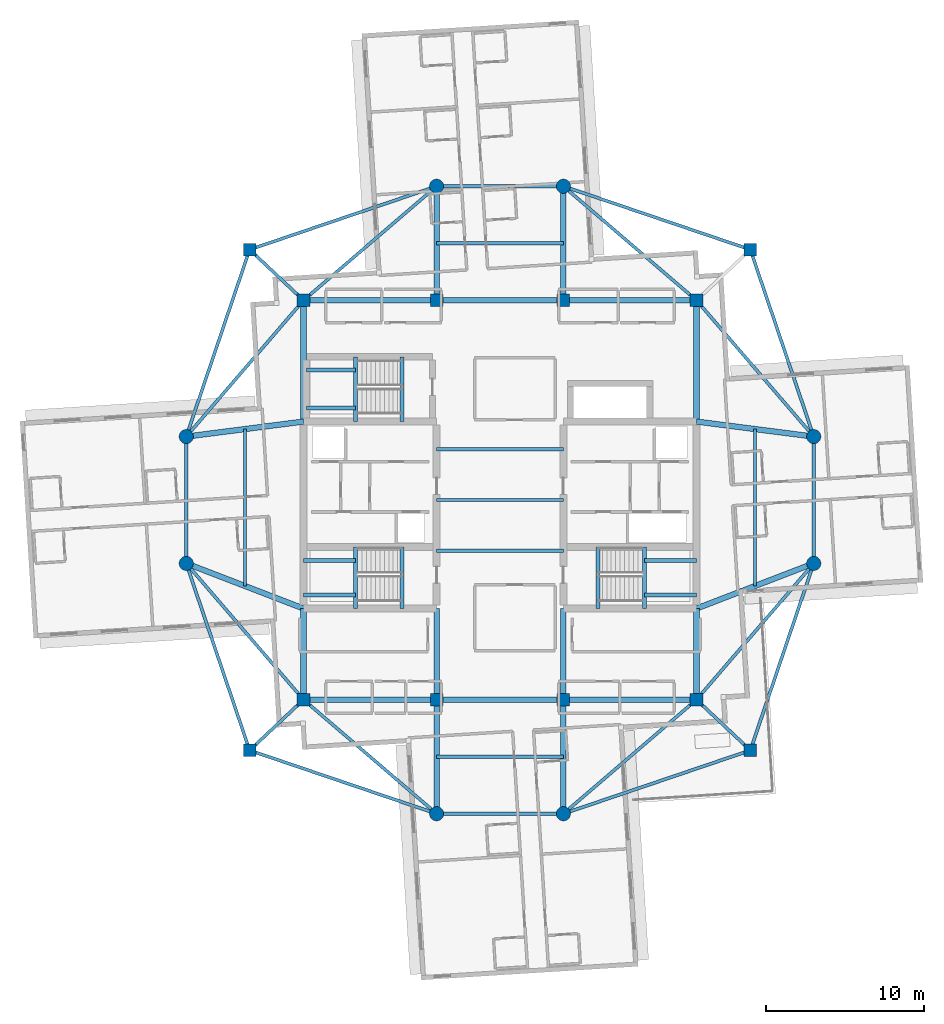
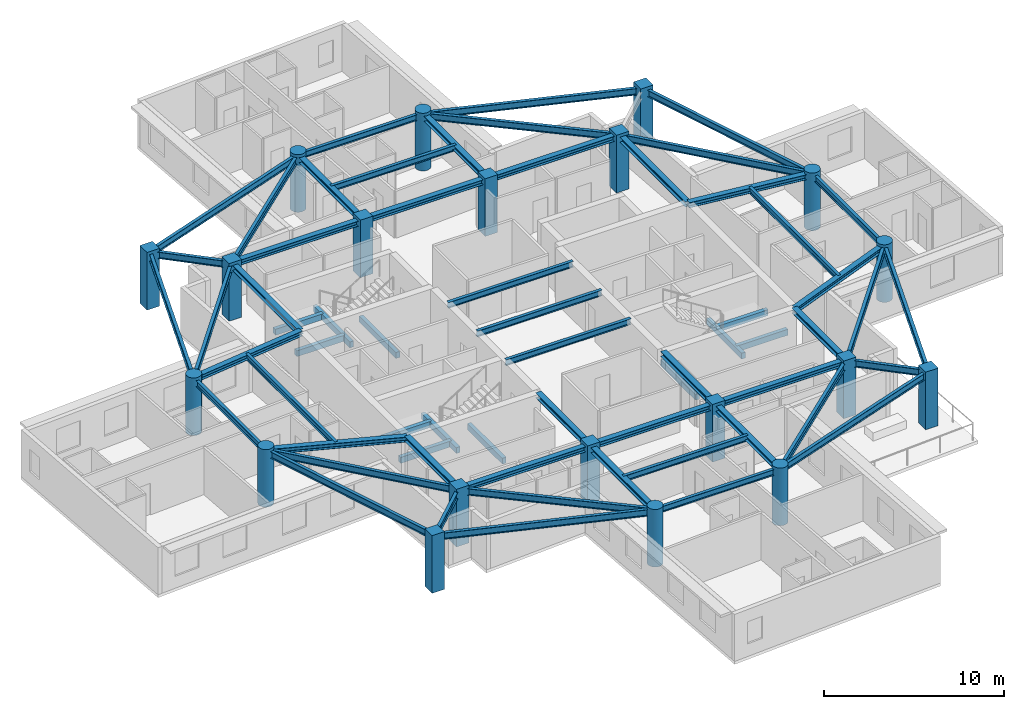
# One storey, part 1 of 13: 62 beams, 20 columns.
"""IFC4 building model written with IfcOpenShell, lengths in metres."""

import ifcopenshell
import ifcopenshell.guid

model = None  # the IFC model being written
_history = None  # IfcOwnerHistory: only IFC2X3 demands one
_inside = {}  # id of a spatial element -> (the spatial element, [elements in it])
_under = {}  # id of a project, library or spatial element -> (it, [spatial elements below it])
_declared = {}  # id of a project -> (the project, [libraries it declares])
_typed = {}  # id of a type object -> (the type object, [elements of that type])
_made_of = {}  # id of a material, layer set ... -> (it, [elements and type objects made of it])


def new_model(schema):
    """Start an empty IFC model of exactly this schema.

    Asked for "IFC4X3", IfcOpenShell would pick the latest addendum, in which some entities
    have other attributes; the version numbers below select the first issue.
    IFC2X3 requires an IfcOwnerHistory on every rooted entity: one is made here for all.
    """
    global model, _history
    if schema == "IFC4X3":
        model = ifcopenshell.file(schema_version=(4, 3, 0, 0))
    else:
        model = ifcopenshell.file(schema=schema)
    _inside.clear()
    _under.clear()
    _declared.clear()
    _typed.clear()
    _made_of.clear()
    _history = None
    if model.schema == "IFC2X3":
        org = make("IfcOrganization", Name="unknown")
        user = make(
            "IfcPersonAndOrganization",
            ThePerson=make("IfcPerson", FamilyName="unknown"),
            TheOrganization=org,
        )
        app = make(
            "IfcApplication",
            ApplicationDeveloper=org,
            Version="unknown",
            ApplicationFullName="unknown",
            ApplicationIdentifier="unknown",
        )
        _history = make(
            "IfcOwnerHistory",
            OwningUser=user,
            OwningApplication=app,
            ChangeAction="ADDED",
            CreationDate=0,
        )
    return model


def make(cls, **values):
    """One entity of the class cls with the attributes given. An attribute that is None is left unset."""
    return model.create_entity(
        cls, **{name: value for name, value in values.items() if value is not None}
    )


def rooted(cls, **values):
    """An entity with a GlobalId (a new one), such as an element, a storey or a relation."""
    return make(cls, GlobalId=ifcopenshell.guid.new(), OwnerHistory=_history, **values)


def si_unit(unit_type, name, prefix=None):
    """IfcSIUnit, for example si_unit("LENGTHUNIT", "METRE", prefix="MILLI")."""
    return make("IfcSIUnit", UnitType=unit_type, Prefix=prefix, Name=name)


def assignment(units):
    """IfcUnitAssignment: the units of a project."""
    return None if units is None else make("IfcUnitAssignment", Units=units)


def point(xyz):
    """IfcCartesianPoint."""
    return None if xyz is None else make("IfcCartesianPoint", Coordinates=xyz)


def direction(xyz):
    """IfcDirection."""
    return None if xyz is None else make("IfcDirection", DirectionRatios=xyz)


def frame(location, z_axis=None, x_axis=None):
    """IfcAxis2Placement3D, a coordinate frame: its origin and axes. An axis left out is left unset."""
    return make(
        "IfcAxis2Placement3D",
        Location=point(location),
        Axis=direction(z_axis),
        RefDirection=direction(x_axis),
    )


def frame_2d(location, x_axis=None):
    """IfcAxis2Placement2D, a coordinate frame in the plane: its origin and x axis."""
    return make(
        "IfcAxis2Placement2D", Location=point(location), RefDirection=direction(x_axis)
    )


def origin():
    """The frame at (0, 0, 0) with its axes left unset."""
    return frame((0.0, 0.0, 0.0))


def origin_2d():
    """The frame at (0, 0) in the plane with its x axis left unset."""
    return frame_2d((0.0, 0.0))


def place(relative_to, where):
    """IfcLocalPlacement: puts the frame where relative to a parent placement (None: the world)."""
    return make(
        "IfcLocalPlacement", PlacementRelTo=relative_to, RelativePlacement=where
    )


def context(
    kind, dimensions, precision=None, world=None, true_north=None, identifier=None
):
    """IfcGeometricRepresentationContext, for example the 3D "Model" context."""
    return make(
        "IfcGeometricRepresentationContext",
        ContextIdentifier=identifier,
        ContextType=kind,
        CoordinateSpaceDimension=dimensions,
        Precision=precision,
        WorldCoordinateSystem=world,
        TrueNorth=true_north,
    )


def subcontext(parent, identifier, kind, view, scale=None):
    """IfcGeometricRepresentationSubContext, for example "Body" below "Model"."""
    return make(
        "IfcGeometricRepresentationSubContext",
        ContextIdentifier=identifier,
        ContextType=kind,
        ParentContext=parent,
        TargetScale=scale,
        TargetView=view,
    )


def project(units=None, contexts=None):
    """IfcProject with its units and contexts."""
    return rooted(
        "IfcProject",
        Name="project",
        RepresentationContexts=contexts,
        UnitsInContext=assignment(units),
    )


def spatial(cls, under=None, at=None, **own):
    """A site, building, storey or space (cls), placed at a placement, below another one or the project."""
    s = rooted(cls, ObjectPlacement=at, **own)
    if under is not None:
        _under.setdefault(under.id(), (under, []))[1].append(s)
    return s


def profile(cls, at=None, kind="AREA", **sizes):
    """A parametric profile (cls). Its sizes go by their IFC names, for example OverallWidth=200.0."""
    return make(cls, ProfileType=kind, Position=at, **sizes)


def rectangle(**sizes):
    """IfcRectangleProfileDef."""
    return profile("IfcRectangleProfileDef", **sizes)


def circle(**sizes):
    """IfcCircleProfileDef."""
    return profile("IfcCircleProfileDef", **sizes)


def i_section(**sizes):
    """IfcIShapeProfileDef."""
    return profile("IfcIShapeProfileDef", **sizes)


def extrude(swept, where, along, depth):
    """IfcExtrudedAreaSolid: the profile swept, set in the frame where, extruded along a direction by depth."""
    return make(
        "IfcExtrudedAreaSolid",
        SweptArea=swept,
        Position=where,
        ExtrudedDirection=direction(along),
        Depth=depth,
    )


def shape(context_of_items, identifier, shape_type, items):
    """IfcShapeRepresentation: the items that make up one representation, for example the "Body"."""
    return make(
        "IfcShapeRepresentation",
        ContextOfItems=context_of_items,
        RepresentationIdentifier=identifier,
        RepresentationType=shape_type,
        Items=items,
    )


def material(Name=None, Category=None):
    """IfcMaterial."""
    return make("IfcMaterial", Name=Name, Category=Category)


def material_profile(
    of_material, cross_section, Name=None, Category=None, Priority=None
):
    """IfcMaterialProfile: a cross section and its material."""
    return make(
        "IfcMaterialProfile",
        Name=Name,
        Material=of_material,
        Profile=cross_section,
        Priority=Priority,
        Category=Category,
    )


def profile_set(profiles, Name=None, composite=None):
    """IfcMaterialProfileSet."""
    return make(
        "IfcMaterialProfileSet",
        Name=Name,
        MaterialProfiles=profiles,
        CompositeProfile=composite,
    )


def made_of(thing, what):
    """Note that an element or type object is made of a material, layer set ...; save() writes the relation."""
    if what is not None:
        _made_of.setdefault(what.id(), (what, []))[1].append(thing)
    return thing


def type_object(cls, material=None, **own):
    """A type object (cls), such as IfcWallType, which elements share."""
    return made_of(rooted(cls, **own), material)


def element(
    cls,
    number,
    at=None,
    inside=None,
    cuts=None,
    type_object=None,
    material=None,
    context=None,
    identifier="Body",
    shape_type=None,
    held_by="IfcProductDefinitionShape",
    body=None,
    shapes=None,
    **own,
):
    """One element of the class cls, such as IfcWall. Its Tag is "e" and its number.

    at: its placement. inside: the storey or other place that contains it. cuts: it is an
    opening in that element (IfcRelVoidsElement). A single representation is given by context,
    identifier, shape_type and body (its items); several are given by shapes. held_by: the class
    of the entity that holds the representations. save() writes the other relations.
    """
    e = rooted(cls, Tag="e%d" % number, ObjectPlacement=at, **own)
    if body is not None:
        shapes = [shape(context, identifier, shape_type, body)]
    if shapes is not None:
        e.Representation = make(held_by, Representations=shapes)
    if inside is not None:
        _inside.setdefault(inside.id(), (inside, []))[1].append(e)
    if cuts is not None:
        rooted(
            "IfcRelVoidsElement", RelatingBuildingElement=cuts, RelatedOpeningElement=e
        )
    if type_object is not None:
        _typed.setdefault(type_object.id(), (type_object, []))[1].append(e)
    return made_of(e, material)


def aggregate(whole, parts):
    """IfcRelAggregates: a whole, such as a stair, and the parts it consists of."""
    return rooted("IfcRelAggregates", RelatingObject=whole, RelatedObjects=parts)


def save(model, path):
    """Write the relations noted so far, then the file.

    IfcRelAggregates (storeys below a building ...), IfcRelContainedInSpatialStructure (elements
    in a storey), IfcRelDefinesByType, IfcRelAssociatesMaterial and IfcRelDeclares: one each for
    every whole, place, type object, material and project.
    """
    for whole, parts in _under.values():
        aggregate(whole, parts)
    for where, things in _inside.values():
        rooted(
            "IfcRelContainedInSpatialStructure",
            RelatedElements=things,
            RelatingStructure=where,
        )
    for kind, things in _typed.values():
        rooted("IfcRelDefinesByType", RelatedObjects=things, RelatingType=kind)
    for what, things in _made_of.values():
        rooted("IfcRelAssociatesMaterial", RelatedObjects=things, RelatingMaterial=what)
    for by, libraries in _declared.values():
        rooted("IfcRelDeclares", RelatingContext=by, RelatedDefinitions=libraries)
    model.write(path)


model = new_model("IFC4")

# Units and contexts
model_context = context("Model", 3, precision=1e-05, world=origin(), true_north=direction((0.0, 1.0)))
body_context = subcontext(model_context, "Body", "Model", "MODEL_VIEW")
ifc_project = project(units=[si_unit("LENGTHUNIT", "METRE"), si_unit("AREAUNIT", "SQUARE_METRE"), si_unit("VOLUMEUNIT", "CUBIC_METRE"), si_unit("PLANEANGLEUNIT", "RADIAN"), si_unit("MASSUNIT", "GRAM", prefix="KILO")], contexts=[model_context])

# Site, building, storey
site_placement = place(None, origin())
site = spatial("IfcSite", under=ifc_project, at=site_placement, CompositionType="ELEMENT")
building_placement = place(site_placement, origin())
building = spatial("IfcBuilding", under=site, at=building_placement, Name="Qingluan Cross Belvedere", CompositionType="ELEMENT")
storey_placement = place(building_placement, frame((0.0, 0.0, 281.10009765625)))
storey = spatial("IfcBuildingStorey", under=building, at=storey_placement, Name="L70", CompositionType="ELEMENT", Elevation=281.10009765625)

# Columns
ifc_material_1 = material(Name="Concrete C50", Category="concrete")
ifc_material_profile_1 = material_profile(ifc_material_1, rectangle(XDim=0.800048828125, YDim=0.800048828125, at=origin_2d()), Name="RC800x800")
ifc_profile_set_1 = profile_set([ifc_material_profile_1], Name="Concrete C50")
column_type_1 = type_object("IfcColumnType", Name="Column_RC800x800", PredefinedType="COLUMN", material=ifc_profile_set_1)
for number, where, z_axis, x_axis, name in (
    (1, (15.800048828125, 15.800048828125, 0.0), (0.0, 0.0, 1.0), (1.0, 0.0, 0.0), "Corner column L70-RNE"),
    (2, (-15.800048828125, 15.800048828125, 0.0), (0.0, 0.0, 1.0), (1.0, 0.0, 0.0), "Corner column L70-RNW"),
    (3, (-15.800048828125, -15.800048828125, 0.0), (0.0, 0.0, 1.0), (1.0, 0.0, 0.0), "Corner column L70-RSW"),
    (4, (15.800048828125, -15.800048828125, 0.0), (0.0, 0.0, 1.0), (1.0, 0.0, 0.0), "Corner column L70-RSE"),
    (5, (-12.39990234375, -12.60009765625, 0.0), (0.0, 0.0, 1.0), (1.0, 0.0, 0.0), "Hub column L70-HC1"),
    (6, (12.39990234375, -12.60009765625, 0.0), (0.0, 0.0, 1.0), (1.0, 0.0, 0.0), "Hub column L70-HC2"),
    (7, (12.39990234375, 12.60009765625, 0.0), (0.0, 0.0, 1.0), (1.0, 0.0, 0.0), "Hub column L70-HC3"),
    (8, (-12.39990234375, 12.60009765625, 0.0), (0.0, 0.0, 1.0), (1.0, 0.0, 0.0), "Hub column L70-HC4"),
    (9, (-4.0, -12.60009765625, 0.0), (0.0, 0.0, 1.0), (1.0, 0.0, 0.0), "Hub column L70-HC5"),
    (10, (4.0, -12.60009765625, 0.0), (0.0, 0.0, 1.0), (1.0, 0.0, 0.0), "Hub column L70-HC6"),
    (11, (4.0, 12.60009765625, 0.0), (0.0, 0.0, 1.0), (1.0, 0.0, 0.0), "Hub column L70-HC7"),
    (12, (-4.0, 12.60009765625, 0.0), (0.0, 0.0, 1.0), (1.0, 0.0, 0.0), "Hub column L70-HC8"),
):
    element("IfcColumn", number, at=place(storey_placement, frame(where, z_axis=z_axis, x_axis=x_axis)), inside=storey, type_object=column_type_1, Name=name, PredefinedType="COLUMN", context=body_context, shape_type="SweptSolid", body=[
        extrude(rectangle(XDim=0.800048828125, YDim=0.800048828125, at=origin_2d()), origin(), (0.0, 0.0, 1.0), 3.89990234375),
    ])
ifc_material_2 = material(Name="Concrete C50", Category="concrete")
ifc_material_profile_2 = material_profile(ifc_material_2, circle(Radius=0.449951171875, at=origin_2d()), Name="RCC900")
ifc_profile_set_2 = profile_set([ifc_material_profile_2], Name="Concrete C50")
column_type_2 = type_object("IfcColumnType", Name="Column_RCC900", PredefinedType="COLUMN", material=ifc_profile_set_2)
for number, where, z_axis, x_axis, name in (
    (13, (19.800048828125, -4.0, 0.0), (0.0, 0.0, 1.0), (1.0, 0.0, 0.0), "Arm column L70-EIA"),
    (14, (19.800048828125, 4.0, 0.0), (0.0, 0.0, 1.0), (1.0, 0.0, 0.0), "Arm column L70-EIB"),
    (15, (-19.800048828125, -4.0, 0.0), (0.0, 0.0, 1.0), (1.0, 0.0, 0.0), "Arm column L70-WIA"),
    (16, (-19.800048828125, 4.0, 0.0), (0.0, 0.0, 1.0), (1.0, 0.0, 0.0), "Arm column L70-WIB"),
    (17, (-4.0, -19.800048828125, 0.0), (0.0, 0.0, 1.0), (1.0, 0.0, 0.0), "Arm column L70-SIA"),
    (18, (4.0, -19.800048828125, 0.0), (0.0, 0.0, 1.0), (1.0, 0.0, 0.0), "Arm column L70-SIB"),
    (19, (-4.0, 19.800048828125, 0.0), (0.0, 0.0, 1.0), (1.0, 0.0, 0.0), "Arm column L70-NIA"),
    (20, (4.0, 19.800048828125, 0.0), (0.0, 0.0, 1.0), (1.0, 0.0, 0.0), "Arm column L70-NIB"),
):
    element("IfcColumn", number, at=place(storey_placement, frame(where, z_axis=z_axis, x_axis=x_axis)), inside=storey, type_object=column_type_2, Name=name, PredefinedType="COLUMN", context=body_context, shape_type="SweptSolid", body=[
        extrude(circle(Radius=0.449951171875, at=origin_2d()), origin(), (0.0, 0.0, 1.0), 3.89990234375),
    ])

# Beams
ifc_material_3 = material(Name="Concrete C45", Category="concrete")
ifc_material_profile_3 = material_profile(ifc_material_3, rectangle(XDim=0.25, YDim=0.39990234375, at=origin_2d()), Name="RC250x400")
ifc_profile_set_3 = profile_set([ifc_material_profile_3], Name="Concrete C45")
beam_type_1 = type_object("IfcBeamType", Name="RC_Lintel_RC250x400", PredefinedType="LINTEL", material=ifc_profile_set_3)
for number, where, z_axis, x_axis, name in (
    (21, (-6.179931640625, -6.85009765625, -0.2001953125), (0.0, 1.0, 0.0), (-1.0, 0.0, 0.0), "Stair ST1 landing beam L70"),
    (22, (6.179931640625, -6.85009765625, -0.2001953125), (0.0, 1.0, 0.0), (-1.0, 0.0, 0.0), "Stair ST2 landing beam L70"),
):
    element("IfcBeam", number, at=place(storey_placement, frame(where, z_axis=z_axis, x_axis=x_axis)), inside=storey, type_object=beam_type_1, Name=name, PredefinedType="LINTEL", context=body_context, shape_type="SweptSolid", body=[
        extrude(rectangle(XDim=0.25, YDim=0.39990234375, at=origin_2d()), origin(), (0.0, 0.0, 1.0), 3.89013671875),
    ])
beam_1_placement = place(storey_placement, frame((-6.179931640625, 4.949951171875, -0.2001953125), z_axis=(0.0, 1.0, 0.0), x_axis=(-1.0, 0.0, 0.0)))
element("IfcBeam", 23, at=beam_1_placement, inside=storey, type_object=beam_type_1, Name="Stair ST3 landing beam L70", PredefinedType="LINTEL", context=body_context, shape_type="SweptSolid", body=[
    extrude(rectangle(XDim=0.25, YDim=0.39990234375, at=origin_2d()), origin(), (0.0, 0.0, 1.0), 4.090087890625),
])
beam_2_placement = place(storey_placement, frame((-9.1298828125, -6.85009765625, 1.5498046875), z_axis=(0.0, 1.0, 0.0), x_axis=(-1.0, 0.0, 0.0)))
element("IfcBeam", 24, at=beam_2_placement, inside=storey, type_object=beam_type_1, Name="Stair ST1 beam A L70", PredefinedType="LINTEL", context=body_context, shape_type="SweptSolid", body=[
    extrude(rectangle(XDim=0.25, YDim=0.39990234375, at=origin_2d()), origin(), (0.0, 0.0, 1.0), 3.89013671875),
])
for number, where, z_axis, x_axis, name in (
    (25, (-12.39990234375, -6.0, 1.5498046875), (1.0, 0.0, 0.0), (0.0, 1.0, 0.0), "Stair ST1 beam B L70"),
    (26, (-12.39990234375, -3.81005859375, 1.5498046875), (1.0, 0.0, 0.0), (0.0, 1.0, 0.0), "Stair ST1 beam C L70"),
):
    element("IfcBeam", number, at=place(storey_placement, frame(where, z_axis=z_axis, x_axis=x_axis)), inside=storey, type_object=beam_type_1, Name=name, PredefinedType="LINTEL", context=body_context, shape_type="SweptSolid", body=[
        extrude(rectangle(XDim=0.25, YDim=0.39990234375, at=origin_2d()), origin(), (0.0, 0.0, 1.0), 3.27001953125),
    ])
beam_3_placement = place(storey_placement, frame((9.1298828125, -6.85009765625, 1.5498046875), z_axis=(0.0, 1.0, 0.0), x_axis=(-1.0, 0.0, 0.0)))
element("IfcBeam", 27, at=beam_3_placement, inside=storey, type_object=beam_type_1, Name="Stair ST2 beam A L70", PredefinedType="LINTEL", context=body_context, shape_type="SweptSolid", body=[
    extrude(rectangle(XDim=0.25, YDim=0.39990234375, at=origin_2d()), origin(), (0.0, 0.0, 1.0), 3.89013671875),
])
for number, where, z_axis, x_axis, name in (
    (28, (12.39990234375, -6.0, 1.5498046875), (-1.0, 0.0, 0.0), (0.0, -1.0, 0.0), "Stair ST2 beam B L70"),
    (29, (12.39990234375, -3.81005859375, 1.5498046875), (-1.0, 0.0, 0.0), (0.0, -1.0, 0.0), "Stair ST2 beam C L70"),
):
    element("IfcBeam", number, at=place(storey_placement, frame(where, z_axis=z_axis, x_axis=x_axis)), inside=storey, type_object=beam_type_1, Name=name, PredefinedType="LINTEL", context=body_context, shape_type="SweptSolid", body=[
        extrude(rectangle(XDim=0.25, YDim=0.39990234375, at=origin_2d()), origin(), (0.0, 0.0, 1.0), 3.27001953125),
    ])
beam_4_placement = place(storey_placement, frame((-9.1298828125, 4.949951171875, 1.5498046875), z_axis=(0.0, 1.0, 0.0), x_axis=(-1.0, 0.0, 0.0)))
element("IfcBeam", 30, at=beam_4_placement, inside=storey, type_object=beam_type_1, Name="Stair ST3 beam A L70", PredefinedType="LINTEL", context=body_context, shape_type="SweptSolid", body=[
    extrude(rectangle(XDim=0.25, YDim=0.39990234375, at=origin_2d()), origin(), (0.0, 0.0, 1.0), 4.090087890625),
])
for number, where, z_axis, x_axis, name in (
    (31, (-12.219970703125, 5.800048828125, 1.5498046875), (1.0, 0.0, 0.0), (0.0, 1.0, 0.0), "Stair ST3 beam B L70"),
    (32, (-12.219970703125, 8.18994140625, 1.5498046875), (1.0, 0.0, 0.0), (0.0, 1.0, 0.0), "Stair ST3 beam C L70"),
):
    element("IfcBeam", number, at=place(storey_placement, frame(where, z_axis=z_axis, x_axis=x_axis)), inside=storey, type_object=beam_type_1, Name=name, PredefinedType="LINTEL", context=body_context, shape_type="SweptSolid", body=[
        extrude(rectangle(XDim=0.25, YDim=0.39990234375, at=origin_2d()), origin(), (0.0, 0.0, 1.0), 3.090087890625),
    ])
ifc_material_4 = material(Name="Steel Q420GJB", Category="steel")
ifc_material_profile_4 = material_profile(ifc_material_4, i_section(OverallWidth=0.199951171875, OverallDepth=0.39990234375, WebThickness=0.008056640625, FlangeThickness=0.012939453125, FilletRadius=0.012939453125, at=origin_2d()), Name="HN400x200x8x13")
ifc_profile_set_4 = profile_set([ifc_material_profile_4], Name="Steel Q420GJB")
beam_type_2 = type_object("IfcBeamType", Name="Steel_Beam_HN400x200x8x13", PredefinedType="JOIST", material=ifc_profile_set_4)
for number, where, z_axis, x_axis, name in (
    (33, (-4.0, -3.199951171875, 3.5), (1.0, 0.0, 0.0), (0.0, 1.0, 0.0), "Hall beam L70-CH1"),
    (34, (-4.0, 0.0, 3.5), (1.0, 0.0, 0.0), (0.0, 1.0, 0.0), "Hall beam L70-CH2"),
    (35, (-4.0, 3.199951171875, 3.5), (1.0, 0.0, 0.0), (0.0, 1.0, 0.0), "Hall beam L70-CH3"),
    (36, (19.800048828125, -4.0, 3.5), (0.0, 1.0, 0.0), (-1.0, 0.0, 0.0), "Arm E tie L70"),
):
    element("IfcBeam", number, at=place(storey_placement, frame(where, z_axis=z_axis, x_axis=x_axis)), inside=storey, type_object=beam_type_2, Name=name, PredefinedType="JOIST", context=body_context, shape_type="SweptSolid", body=[
        extrude(i_section(OverallWidth=0.199951171875, OverallDepth=0.39990234375, WebThickness=0.008056640625, FlangeThickness=0.012939453125, FilletRadius=0.012939453125, at=origin_2d()), origin(), (0.0, 0.0, 1.0), 8.0),
    ])
beam_5_placement = place(storey_placement, frame((16.10009765625, -5.425048828125, 3.5), z_axis=(0.0, 1.0, 0.0), x_axis=(-1.0, 0.0, 0.0)))
element("IfcBeam", 37, at=beam_5_placement, inside=storey, type_object=beam_type_2, Name="Arm E beam L70", PredefinedType="JOIST", context=body_context, shape_type="SweptSolid", body=[
    extrude(i_section(OverallWidth=0.199951171875, OverallDepth=0.39990234375, WebThickness=0.008056640625, FlangeThickness=0.012939453125, FilletRadius=0.012939453125, at=origin_2d()), origin(), (0.0, 0.0, 1.0), 9.900146484375),
])
beam_6_placement = place(storey_placement, frame((-19.800048828125, -4.0, 3.5), z_axis=(0.0, 1.0, 0.0), x_axis=(-1.0, 0.0, 0.0)))
element("IfcBeam", 38, at=beam_6_placement, inside=storey, type_object=beam_type_2, Name="Arm W tie L70", PredefinedType="JOIST", context=body_context, shape_type="SweptSolid", body=[
    extrude(i_section(OverallWidth=0.199951171875, OverallDepth=0.39990234375, WebThickness=0.008056640625, FlangeThickness=0.012939453125, FilletRadius=0.012939453125, at=origin_2d()), origin(), (0.0, 0.0, 1.0), 8.0),
])
beam_7_placement = place(storey_placement, frame((-16.10009765625, -5.425048828125, 3.5), z_axis=(0.0, 1.0, 0.0), x_axis=(-1.0, 0.0, 0.0)))
element("IfcBeam", 39, at=beam_7_placement, inside=storey, type_object=beam_type_2, Name="Arm W beam L70", PredefinedType="JOIST", context=body_context, shape_type="SweptSolid", body=[
    extrude(i_section(OverallWidth=0.199951171875, OverallDepth=0.39990234375, WebThickness=0.008056640625, FlangeThickness=0.012939453125, FilletRadius=0.012939453125, at=origin_2d()), origin(), (0.0, 0.0, 1.0), 9.900146484375),
])
for number, where, z_axis, x_axis, name in (
    (40, (-4.0, 19.800048828125, 3.5), (1.0, 0.0, 0.0), (0.0, 1.0, 0.0), "Arm N tie L70"),
    (41, (-4.0, 16.199951171875, 3.5), (1.0, 0.0, 0.0), (0.0, 1.0, 0.0), "Arm N beam L70"),
    (42, (-4.0, -19.800048828125, 3.5), (1.0, 0.0, 0.0), (0.0, 1.0, 0.0), "Arm S tie L70"),
    (43, (-4.0, -16.199951171875, 3.5), (1.0, 0.0, 0.0), (0.0, 1.0, 0.0), "Arm S beam L70"),
):
    element("IfcBeam", number, at=place(storey_placement, frame(where, z_axis=z_axis, x_axis=x_axis)), inside=storey, type_object=beam_type_2, Name=name, PredefinedType="JOIST", context=body_context, shape_type="SweptSolid", body=[
        extrude(i_section(OverallWidth=0.199951171875, OverallDepth=0.39990234375, WebThickness=0.008056640625, FlangeThickness=0.012939453125, FilletRadius=0.012939453125, at=origin_2d()), origin(), (0.0, 0.0, 1.0), 8.0),
    ])
ifc_material_5 = material(Name="Steel Q420GJB", Category="steel")
ifc_material_profile_5 = material_profile(ifc_material_5, i_section(OverallWidth=0.199951171875, OverallDepth=0.449951171875, WebThickness=0.009033203125, FlangeThickness=0.013916015625, FilletRadius=0.01611328125, at=origin_2d()), Name="HN450x200x9x14")
ifc_profile_set_5 = profile_set([ifc_material_profile_5], Name="Steel Q420GJB")
beam_type_3 = type_object("IfcBeamType", Name="Steel_Beam_HN450x200x9x14", PredefinedType="JOIST", material=ifc_profile_set_5)
for number, where, z_axis, x_axis, name in (
    (44, (15.800048828125, 15.800048828125, 3.454833984375), (-0.947066283324, 0.321038089628, 0.0), (-0.321038089628, -0.947066283324, 0.0), "Corner beam 2 L70-RNE"),
    (45, (15.800048828125, 15.800048828125, 3.454833984375), (0.321038089628, -0.947066283324, 0.0), (0.947066283324, 0.321038089628, 0.0), "Corner beam 3 L70-RNE"),
):
    element("IfcBeam", number, at=place(storey_placement, frame(where, z_axis=z_axis, x_axis=x_axis)), inside=storey, type_object=beam_type_3, Name=name, PredefinedType="JOIST", context=body_context, shape_type="SweptSolid", body=[
        extrude(i_section(OverallWidth=0.199951171875, OverallDepth=0.449951171875, WebThickness=0.009033203125, FlangeThickness=0.013916015625, FilletRadius=0.01611328125, at=origin_2d()), origin(), (0.0, 0.0, 1.0), 12.45947265625),
    ])
beam_8_placement = place(storey_placement, frame((12.39990234375, 12.60009765625, 3.454833984375), z_axis=(0.652245077546, -0.75800815221, 0.0), x_axis=(0.75800815221, 0.652245077546, 0.0)))
element("IfcBeam", 46, at=beam_8_placement, inside=storey, type_object=beam_type_3, Name="Corner beam 4 L70-RNE", PredefinedType="JOIST", context=body_context, shape_type="SweptSolid", body=[
    extrude(i_section(OverallWidth=0.199951171875, OverallDepth=0.449951171875, WebThickness=0.009033203125, FlangeThickness=0.013916015625, FilletRadius=0.01611328125, at=origin_2d()), origin(), (0.0, 0.0, 1.0), 11.345703125),
])
beam_9_placement = place(storey_placement, frame((12.39990234375, 12.60009765625, 3.454833984375), z_axis=(-0.759255044656, 0.650793190779, 0.0), x_axis=(-0.650793190779, -0.759255044656, 0.0)))
element("IfcBeam", 47, at=beam_9_placement, inside=storey, type_object=beam_type_3, Name="Corner beam 5 L70-RNE", PredefinedType="JOIST", context=body_context, shape_type="SweptSolid", body=[
    extrude(i_section(OverallWidth=0.199951171875, OverallDepth=0.449951171875, WebThickness=0.009033203125, FlangeThickness=0.013916015625, FilletRadius=0.01611328125, at=origin_2d()), origin(), (0.0, 0.0, 1.0), 11.063232421875),
])
beam_10_placement = place(storey_placement, frame((-12.39990234375, 12.60009765625, 3.474853515625), z_axis=(-0.728219948308, 0.685343495546, 0.0), x_axis=(-0.685343495546, -0.728219948308, 0.0)))
element("IfcBeam", 48, at=beam_10_placement, inside=storey, type_object=beam_type_3, Name="Corner beam 1 L70-RNW", PredefinedType="JOIST", context=body_context, shape_type="SweptSolid", body=[
    extrude(i_section(OverallWidth=0.199951171875, OverallDepth=0.449951171875, WebThickness=0.009033203125, FlangeThickness=0.013916015625, FilletRadius=0.01611328125, at=origin_2d()), origin(), (0.0, 0.0, 1.0), 4.669189453125),
])
for number, where, z_axis, x_axis, name in (
    (49, (-15.800048828125, 15.800048828125, 3.474853515625), (0.947066283324, 0.321038089628, 0.0), (-0.321038089628, 0.947066283324, 0.0), "Corner beam 2 L70-RNW"),
    (50, (-15.800048828125, 15.800048828125, 3.474853515625), (-0.321038089628, -0.947066283324, 0.0), (0.947066283324, -0.321038089628, 0.0), "Corner beam 3 L70-RNW"),
):
    element("IfcBeam", number, at=place(storey_placement, frame(where, z_axis=z_axis, x_axis=x_axis)), inside=storey, type_object=beam_type_3, Name=name, PredefinedType="JOIST", context=body_context, shape_type="SweptSolid", body=[
        extrude(i_section(OverallWidth=0.199951171875, OverallDepth=0.449951171875, WebThickness=0.009033203125, FlangeThickness=0.013916015625, FilletRadius=0.01611328125, at=origin_2d()), origin(), (0.0, 0.0, 1.0), 12.45947265625),
    ])
beam_11_placement = place(storey_placement, frame((-12.39990234375, 12.60009765625, 3.474853515625), z_axis=(-0.652245077546, -0.75800815221, 0.0), x_axis=(0.75800815221, -0.652245077546, 0.0)))
element("IfcBeam", 51, at=beam_11_placement, inside=storey, type_object=beam_type_3, Name="Corner beam 4 L70-RNW", PredefinedType="JOIST", context=body_context, shape_type="SweptSolid", body=[
    extrude(i_section(OverallWidth=0.199951171875, OverallDepth=0.449951171875, WebThickness=0.009033203125, FlangeThickness=0.013916015625, FilletRadius=0.01611328125, at=origin_2d()), origin(), (0.0, 0.0, 1.0), 11.345703125),
])
beam_12_placement = place(storey_placement, frame((-12.39990234375, 12.60009765625, 3.474853515625), z_axis=(0.759255044656, 0.650793190779, 0.0), x_axis=(-0.650793190779, 0.759255044656, 0.0)))
element("IfcBeam", 52, at=beam_12_placement, inside=storey, type_object=beam_type_3, Name="Corner beam 5 L70-RNW", PredefinedType="JOIST", context=body_context, shape_type="SweptSolid", body=[
    extrude(i_section(OverallWidth=0.199951171875, OverallDepth=0.449951171875, WebThickness=0.009033203125, FlangeThickness=0.013916015625, FilletRadius=0.01611328125, at=origin_2d()), origin(), (0.0, 0.0, 1.0), 11.063232421875),
])
beam_13_placement = place(storey_placement, frame((-12.39990234375, -12.60009765625, 3.474853515625), z_axis=(-0.728219948308, -0.685343495546, 0.0), x_axis=(0.685343495546, -0.728219948308, 0.0)))
element("IfcBeam", 53, at=beam_13_placement, inside=storey, type_object=beam_type_3, Name="Corner beam 1 L70-RSW", PredefinedType="JOIST", context=body_context, shape_type="SweptSolid", body=[
    extrude(i_section(OverallWidth=0.199951171875, OverallDepth=0.449951171875, WebThickness=0.009033203125, FlangeThickness=0.013916015625, FilletRadius=0.01611328125, at=origin_2d()), origin(), (0.0, 0.0, 1.0), 4.669189453125),
])
for number, where, z_axis, x_axis, name in (
    (54, (-15.800048828125, -15.800048828125, 3.474853515625), (0.947066283324, -0.321038089628, 0.0), (0.321038089628, 0.947066283324, 0.0), "Corner beam 2 L70-RSW"),
    (55, (-15.800048828125, -15.800048828125, 3.474853515625), (-0.321038089628, 0.947066283324, 0.0), (-0.947066283324, -0.321038089628, 0.0), "Corner beam 3 L70-RSW"),
):
    element("IfcBeam", number, at=place(storey_placement, frame(where, z_axis=z_axis, x_axis=x_axis)), inside=storey, type_object=beam_type_3, Name=name, PredefinedType="JOIST", context=body_context, shape_type="SweptSolid", body=[
        extrude(i_section(OverallWidth=0.199951171875, OverallDepth=0.449951171875, WebThickness=0.009033203125, FlangeThickness=0.013916015625, FilletRadius=0.01611328125, at=origin_2d()), origin(), (0.0, 0.0, 1.0), 12.45947265625),
    ])
beam_14_placement = place(storey_placement, frame((-12.39990234375, -12.60009765625, 3.474853515625), z_axis=(-0.652245077546, 0.75800815221, 0.0), x_axis=(-0.75800815221, -0.652245077546, 0.0)))
element("IfcBeam", 56, at=beam_14_placement, inside=storey, type_object=beam_type_3, Name="Corner beam 4 L70-RSW", PredefinedType="JOIST", context=body_context, shape_type="SweptSolid", body=[
    extrude(i_section(OverallWidth=0.199951171875, OverallDepth=0.449951171875, WebThickness=0.009033203125, FlangeThickness=0.013916015625, FilletRadius=0.01611328125, at=origin_2d()), origin(), (0.0, 0.0, 1.0), 11.345703125),
])
beam_15_placement = place(storey_placement, frame((-12.39990234375, -12.60009765625, 3.474853515625), z_axis=(0.759255044656, -0.650793190779, 0.0), x_axis=(0.650793190779, 0.759255044656, 0.0)))
element("IfcBeam", 57, at=beam_15_placement, inside=storey, type_object=beam_type_3, Name="Corner beam 5 L70-RSW", PredefinedType="JOIST", context=body_context, shape_type="SweptSolid", body=[
    extrude(i_section(OverallWidth=0.199951171875, OverallDepth=0.449951171875, WebThickness=0.009033203125, FlangeThickness=0.013916015625, FilletRadius=0.01611328125, at=origin_2d()), origin(), (0.0, 0.0, 1.0), 11.063232421875),
])
beam_16_placement = place(storey_placement, frame((12.39990234375, -12.60009765625, 3.474853515625), z_axis=(0.728219948308, -0.685343495546, 0.0), x_axis=(0.685343495546, 0.728219948308, 0.0)))
element("IfcBeam", 58, at=beam_16_placement, inside=storey, type_object=beam_type_3, Name="Corner beam 1 L70-RSE", PredefinedType="JOIST", context=body_context, shape_type="SweptSolid", body=[
    extrude(i_section(OverallWidth=0.199951171875, OverallDepth=0.449951171875, WebThickness=0.009033203125, FlangeThickness=0.013916015625, FilletRadius=0.01611328125, at=origin_2d()), origin(), (0.0, 0.0, 1.0), 4.669189453125),
])
for number, where, z_axis, x_axis, name in (
    (59, (15.800048828125, -15.800048828125, 3.474853515625), (-0.947066283324, -0.321038089628, 0.0), (0.321038089628, -0.947066283324, 0.0), "Corner beam 2 L70-RSE"),
    (60, (15.800048828125, -15.800048828125, 3.474853515625), (0.321038089628, 0.947066283324, 0.0), (-0.947066283324, 0.321038089628, 0.0), "Corner beam 3 L70-RSE"),
):
    element("IfcBeam", number, at=place(storey_placement, frame(where, z_axis=z_axis, x_axis=x_axis)), inside=storey, type_object=beam_type_3, Name=name, PredefinedType="JOIST", context=body_context, shape_type="SweptSolid", body=[
        extrude(i_section(OverallWidth=0.199951171875, OverallDepth=0.449951171875, WebThickness=0.009033203125, FlangeThickness=0.013916015625, FilletRadius=0.01611328125, at=origin_2d()), origin(), (0.0, 0.0, 1.0), 12.45947265625),
    ])
beam_17_placement = place(storey_placement, frame((12.39990234375, -12.60009765625, 3.474853515625), z_axis=(0.652245077546, 0.75800815221, 0.0), x_axis=(-0.75800815221, 0.652245077546, 0.0)))
element("IfcBeam", 61, at=beam_17_placement, inside=storey, type_object=beam_type_3, Name="Corner beam 4 L70-RSE", PredefinedType="JOIST", context=body_context, shape_type="SweptSolid", body=[
    extrude(i_section(OverallWidth=0.199951171875, OverallDepth=0.449951171875, WebThickness=0.009033203125, FlangeThickness=0.013916015625, FilletRadius=0.01611328125, at=origin_2d()), origin(), (0.0, 0.0, 1.0), 11.345703125),
])
beam_18_placement = place(storey_placement, frame((12.39990234375, -12.60009765625, 3.474853515625), z_axis=(-0.759255044656, -0.650793190779, 0.0), x_axis=(0.650793190779, -0.759255044656, 0.0)))
element("IfcBeam", 62, at=beam_18_placement, inside=storey, type_object=beam_type_3, Name="Corner beam 5 L70-RSE", PredefinedType="JOIST", context=body_context, shape_type="SweptSolid", body=[
    extrude(i_section(OverallWidth=0.199951171875, OverallDepth=0.449951171875, WebThickness=0.009033203125, FlangeThickness=0.013916015625, FilletRadius=0.01611328125, at=origin_2d()), origin(), (0.0, 0.0, 1.0), 11.063232421875),
])
ifc_material_6 = material(Name="Steel Q420GJB", Category="steel")
ifc_material_profile_6 = material_profile(ifc_material_6, i_section(OverallWidth=0.35009765625, OverallDepth=0.35009765625, WebThickness=0.011962890625, FlangeThickness=0.01904296875, FilletRadius=0.02001953125, at=origin_2d()), Name="HW350x350x12x19")
ifc_profile_set_6 = profile_set([ifc_material_profile_6], Name="Steel Q420GJB")
beam_type_4 = type_object("IfcBeamType", Name="Steel_Girder_HW350x350x12x19", PredefinedType="USERDEFINED", material=ifc_profile_set_6)
beam_19_placement = place(storey_placement, frame((-12.39990234375, -12.60009765625, 3.52490234375), z_axis=(1.0, 0.0, 0.0), x_axis=(0.0, 1.0, 0.0)))
element("IfcBeam", 63, at=beam_19_placement, inside=storey, type_object=beam_type_4, Name="Hub girder L70-HG-S1", ObjectType="GIRDER", PredefinedType="USERDEFINED", context=body_context, shape_type="SweptSolid", body=[
    extrude(i_section(OverallWidth=0.35009765625, OverallDepth=0.35009765625, WebThickness=0.011962890625, FlangeThickness=0.01904296875, FilletRadius=0.02001953125, at=origin_2d()), origin(), (0.0, 0.0, 1.0), 8.39990234375),
])
beam_20_placement = place(storey_placement, frame((-4.0, -12.60009765625, 3.52490234375), z_axis=(1.0, 0.0, 0.0), x_axis=(0.0, 1.0, 0.0)))
element("IfcBeam", 64, at=beam_20_placement, inside=storey, type_object=beam_type_4, Name="Hub girder L70-HG-S2", ObjectType="GIRDER", PredefinedType="USERDEFINED", context=body_context, shape_type="SweptSolid", body=[
    extrude(i_section(OverallWidth=0.35009765625, OverallDepth=0.35009765625, WebThickness=0.011962890625, FlangeThickness=0.01904296875, FilletRadius=0.02001953125, at=origin_2d()), origin(), (0.0, 0.0, 1.0), 8.0),
])
for number, where, z_axis, x_axis, name in (
    (65, (4.0, -12.60009765625, 3.52490234375), (1.0, 0.0, 0.0), (0.0, 1.0, 0.0), "Hub girder L70-HG-S3"),
    (66, (-12.39990234375, 12.60009765625, 3.52490234375), (1.0, 0.0, 0.0), (0.0, 1.0, 0.0), "Hub girder L70-HG-N1"),
):
    element("IfcBeam", number, at=place(storey_placement, frame(where, z_axis=z_axis, x_axis=x_axis)), inside=storey, type_object=beam_type_4, Name=name, ObjectType="GIRDER", PredefinedType="USERDEFINED", context=body_context, shape_type="SweptSolid", body=[
        extrude(i_section(OverallWidth=0.35009765625, OverallDepth=0.35009765625, WebThickness=0.011962890625, FlangeThickness=0.01904296875, FilletRadius=0.02001953125, at=origin_2d()), origin(), (0.0, 0.0, 1.0), 8.39990234375),
    ])
beam_21_placement = place(storey_placement, frame((-4.0, 12.60009765625, 3.52490234375), z_axis=(1.0, 0.0, 0.0), x_axis=(0.0, 1.0, 0.0)))
element("IfcBeam", 67, at=beam_21_placement, inside=storey, type_object=beam_type_4, Name="Hub girder L70-HG-N2", ObjectType="GIRDER", PredefinedType="USERDEFINED", context=body_context, shape_type="SweptSolid", body=[
    extrude(i_section(OverallWidth=0.35009765625, OverallDepth=0.35009765625, WebThickness=0.011962890625, FlangeThickness=0.01904296875, FilletRadius=0.02001953125, at=origin_2d()), origin(), (0.0, 0.0, 1.0), 8.0),
])
beam_22_placement = place(storey_placement, frame((4.0, 12.60009765625, 3.52490234375), z_axis=(1.0, 0.0, 0.0), x_axis=(0.0, 1.0, 0.0)))
element("IfcBeam", 68, at=beam_22_placement, inside=storey, type_object=beam_type_4, Name="Hub girder L70-HG-N3", ObjectType="GIRDER", PredefinedType="USERDEFINED", context=body_context, shape_type="SweptSolid", body=[
    extrude(i_section(OverallWidth=0.35009765625, OverallDepth=0.35009765625, WebThickness=0.011962890625, FlangeThickness=0.01904296875, FilletRadius=0.02001953125, at=origin_2d()), origin(), (0.0, 0.0, 1.0), 8.39990234375),
])
beam_23_placement = place(storey_placement, frame((-12.39990234375, -12.60009765625, 3.52490234375), z_axis=(0.0, 1.0, 0.0), x_axis=(-1.0, 0.0, 0.0)))
element("IfcBeam", 69, at=beam_23_placement, inside=storey, type_object=beam_type_4, Name="Hub girder L70-HG-W1", ObjectType="GIRDER", PredefinedType="USERDEFINED", context=body_context, shape_type="SweptSolid", body=[
    extrude(i_section(OverallWidth=0.35009765625, OverallDepth=0.35009765625, WebThickness=0.011962890625, FlangeThickness=0.01904296875, FilletRadius=0.02001953125, at=origin_2d()), origin(), (0.0, 0.0, 1.0), 5.75),
])
beam_24_placement = place(storey_placement, frame((-12.39990234375, 4.949951171875, 3.52490234375), z_axis=(0.0, 1.0, 0.0), x_axis=(-1.0, 0.0, 0.0)))
element("IfcBeam", 70, at=beam_24_placement, inside=storey, type_object=beam_type_4, Name="Hub girder L70-HG-W2", ObjectType="GIRDER", PredefinedType="USERDEFINED", context=body_context, shape_type="SweptSolid", body=[
    extrude(i_section(OverallWidth=0.35009765625, OverallDepth=0.35009765625, WebThickness=0.011962890625, FlangeThickness=0.01904296875, FilletRadius=0.02001953125, at=origin_2d()), origin(), (0.0, 0.0, 1.0), 7.650146484375),
])
beam_25_placement = place(storey_placement, frame((12.39990234375, -12.60009765625, 3.52490234375), z_axis=(0.0, 1.0, 0.0), x_axis=(-1.0, 0.0, 0.0)))
element("IfcBeam", 71, at=beam_25_placement, inside=storey, type_object=beam_type_4, Name="Hub girder L70-HG-E1", ObjectType="GIRDER", PredefinedType="USERDEFINED", context=body_context, shape_type="SweptSolid", body=[
    extrude(i_section(OverallWidth=0.35009765625, OverallDepth=0.35009765625, WebThickness=0.011962890625, FlangeThickness=0.01904296875, FilletRadius=0.02001953125, at=origin_2d()), origin(), (0.0, 0.0, 1.0), 5.75),
])
beam_26_placement = place(storey_placement, frame((12.39990234375, 4.949951171875, 3.52490234375), z_axis=(0.0, 1.0, 0.0), x_axis=(-1.0, 0.0, 0.0)))
element("IfcBeam", 72, at=beam_26_placement, inside=storey, type_object=beam_type_4, Name="Hub girder L70-HG-E2", ObjectType="GIRDER", PredefinedType="USERDEFINED", context=body_context, shape_type="SweptSolid", body=[
    extrude(i_section(OverallWidth=0.35009765625, OverallDepth=0.35009765625, WebThickness=0.011962890625, FlangeThickness=0.01904296875, FilletRadius=0.02001953125, at=origin_2d()), origin(), (0.0, 0.0, 1.0), 7.650146484375),
])
for number, where, z_axis, x_axis, name in (
    (73, (-4.0, -12.60009765625, 3.52490234375), (0.0, 1.0, 0.0), (-1.0, 0.0, 0.0), "Hub girder L70-HG-CW"),
    (74, (4.0, -12.60009765625, 3.52490234375), (0.0, 1.0, 0.0), (-1.0, 0.0, 0.0), "Hub girder L70-HG-CE"),
):
    element("IfcBeam", number, at=place(storey_placement, frame(where, z_axis=z_axis, x_axis=x_axis)), inside=storey, type_object=beam_type_4, Name=name, ObjectType="GIRDER", PredefinedType="USERDEFINED", context=body_context, shape_type="SweptSolid", body=[
        extrude(i_section(OverallWidth=0.35009765625, OverallDepth=0.35009765625, WebThickness=0.011962890625, FlangeThickness=0.01904296875, FilletRadius=0.02001953125, at=origin_2d()), origin(), (0.0, 0.0, 1.0), 5.75),
    ])
beam_27_placement = place(storey_placement, frame((12.39990234375, -6.85009765625, 3.52490234375), z_axis=(0.933181258889, 0.359406090735, 0.0), x_axis=(-0.359406090735, 0.933181258889, 0.0)))
element("IfcBeam", 75, at=beam_27_placement, inside=storey, type_object=beam_type_4, Name="Arm E radial girder A L70", ObjectType="GIRDER", PredefinedType="USERDEFINED", context=body_context, shape_type="SweptSolid", body=[
    extrude(i_section(OverallWidth=0.35009765625, OverallDepth=0.35009765625, WebThickness=0.011962890625, FlangeThickness=0.01904296875, FilletRadius=0.02001953125, at=origin_2d()), origin(), (0.0, 0.0, 1.0), 7.929931640625),
])
beam_28_placement = place(storey_placement, frame((12.39990234375, 4.949951171875, 3.52490234375), z_axis=(0.991861120628, -0.12732445714, 0.0), x_axis=(0.12732445714, 0.991861120628, 0.0)))
element("IfcBeam", 76, at=beam_28_placement, inside=storey, type_object=beam_type_4, Name="Arm E radial girder B L70", ObjectType="GIRDER", PredefinedType="USERDEFINED", context=body_context, shape_type="SweptSolid", body=[
    extrude(i_section(OverallWidth=0.35009765625, OverallDepth=0.35009765625, WebThickness=0.011962890625, FlangeThickness=0.01904296875, FilletRadius=0.02001953125, at=origin_2d()), origin(), (0.0, 0.0, 1.0), 7.4609375),
])
beam_29_placement = place(storey_placement, frame((-12.39990234375, -6.85009765625, 3.52490234375), z_axis=(-0.933181258889, 0.359406090735, 0.0), x_axis=(-0.359406090735, -0.933181258889, 0.0)))
element("IfcBeam", 77, at=beam_29_placement, inside=storey, type_object=beam_type_4, Name="Arm W radial girder A L70", ObjectType="GIRDER", PredefinedType="USERDEFINED", context=body_context, shape_type="SweptSolid", body=[
    extrude(i_section(OverallWidth=0.35009765625, OverallDepth=0.35009765625, WebThickness=0.011962890625, FlangeThickness=0.01904296875, FilletRadius=0.02001953125, at=origin_2d()), origin(), (0.0, 0.0, 1.0), 7.929931640625),
])
beam_30_placement = place(storey_placement, frame((-12.39990234375, 4.949951171875, 3.52490234375), z_axis=(-0.991861120628, -0.12732445714, 0.0), x_axis=(0.12732445714, -0.991861120628, 0.0)))
element("IfcBeam", 78, at=beam_30_placement, inside=storey, type_object=beam_type_4, Name="Arm W radial girder B L70", ObjectType="GIRDER", PredefinedType="USERDEFINED", context=body_context, shape_type="SweptSolid", body=[
    extrude(i_section(OverallWidth=0.35009765625, OverallDepth=0.35009765625, WebThickness=0.011962890625, FlangeThickness=0.01904296875, FilletRadius=0.02001953125, at=origin_2d()), origin(), (0.0, 0.0, 1.0), 7.4609375),
])
for number, where, z_axis, x_axis, name in (
    (79, (-4.0, 12.60009765625, 3.52490234375), (0.0, 1.0, 0.0), (-1.0, 0.0, 0.0), "Arm N radial girder A L70"),
    (80, (4.0, 12.60009765625, 3.52490234375), (0.0, 1.0, 0.0), (-1.0, 0.0, 0.0), "Arm N radial girder B L70"),
    (81, (-4.0, -12.60009765625, 3.52490234375), (0.0, -1.0, 0.0), (1.0, 0.0, 0.0), "Arm S radial girder A L70"),
    (82, (4.0, -12.60009765625, 3.52490234375), (0.0, -1.0, 0.0), (1.0, 0.0, 0.0), "Arm S radial girder B L70"),
):
    element("IfcBeam", number, at=place(storey_placement, frame(where, z_axis=z_axis, x_axis=x_axis)), inside=storey, type_object=beam_type_4, Name=name, ObjectType="GIRDER", PredefinedType="USERDEFINED", context=body_context, shape_type="SweptSolid", body=[
        extrude(i_section(OverallWidth=0.35009765625, OverallDepth=0.35009765625, WebThickness=0.011962890625, FlangeThickness=0.01904296875, FilletRadius=0.02001953125, at=origin_2d()), origin(), (0.0, 0.0, 1.0), 7.199951171875),
    ])

save(model, "model.ifc")
